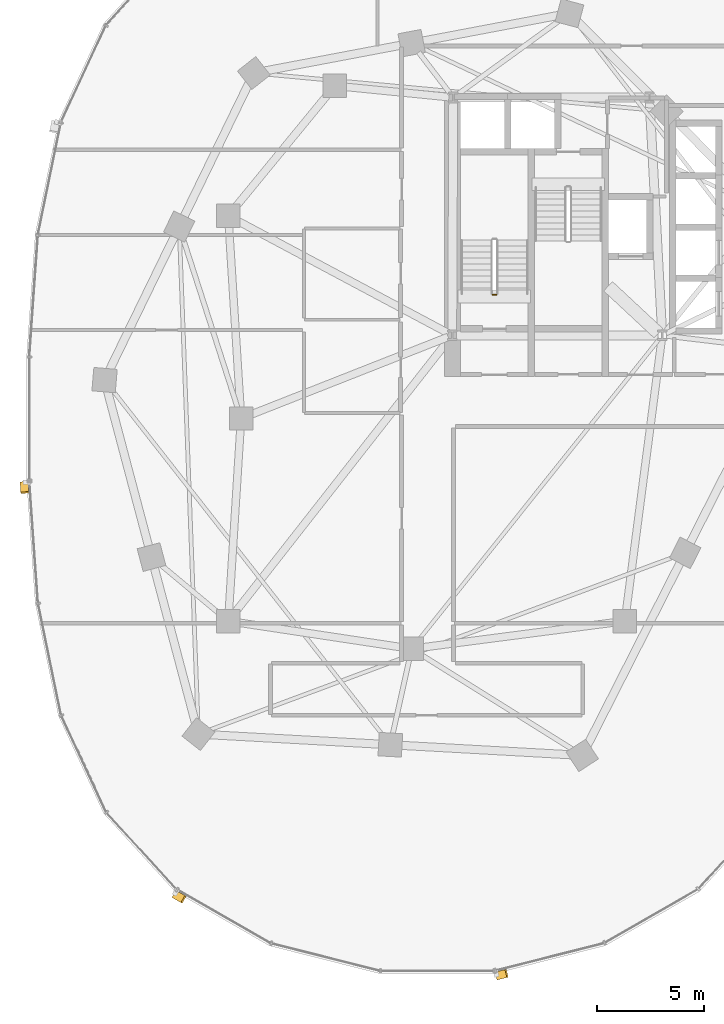
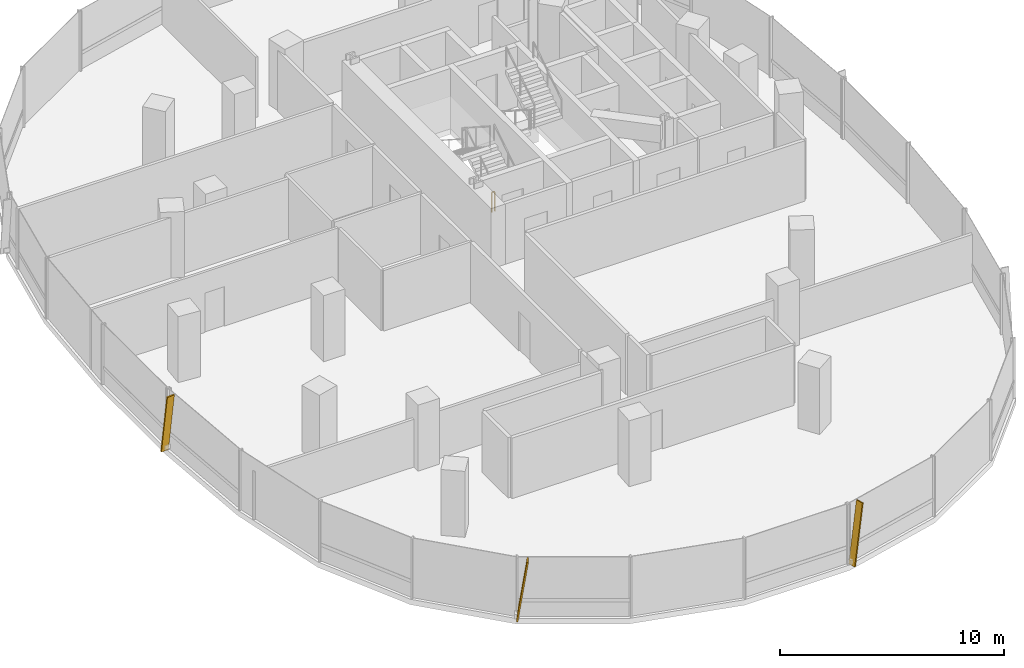
# One storey, part 17 of 21: 3 shading devices, 1 railing.
"""IFC4 building model written with IfcOpenShell, lengths in metres."""

from ifc_helpers import new_model, si_unit, direction, frame, origin, origin_2d, place, context, subcontext, project, spatial, rectangle, extrude, material, material_profile, profile_set, type_object, element, save


model = new_model("IFC4")

# Units and contexts
model_context = context("Model", 3, precision=1e-05, world=origin(), true_north=direction((0.0, 1.0)))
body_context = subcontext(model_context, "Body", "Model", "MODEL_VIEW")
ifc_project = project(units=[si_unit("LENGTHUNIT", "METRE"), si_unit("AREAUNIT", "SQUARE_METRE"), si_unit("VOLUMEUNIT", "CUBIC_METRE"), si_unit("PLANEANGLEUNIT", "RADIAN"), si_unit("MASSUNIT", "GRAM", prefix="KILO"), si_unit("THERMODYNAMICTEMPERATUREUNIT", "KELVIN"), si_unit("POWERUNIT", "WATT")], contexts=[model_context])

# Site, building, storey
site_placement = place(None, origin())
site = spatial("IfcSite", under=ifc_project, at=site_placement, CompositionType="ELEMENT")
building_placement = place(site_placement, origin())
building = spatial("IfcBuilding", under=site, at=building_placement, Name="Cundina Bronze Exchange", CompositionType="ELEMENT")
storey_placement = place(building_placement, frame((0.0, 0.0, 110.60009765625)))
storey = spatial("IfcBuildingStorey", under=building, at=storey_placement, Name="L28", CompositionType="ELEMENT", Elevation=110.60009765625)

# Railing
ifc_material_1 = material(Name="Steel ASTM A36 Painted", Category="steel")
railing_type = type_object("IfcRailingType", Name="RLG-STG-1100", PredefinedType="GUARDRAIL", material=ifc_material_1)
railing_placement = place(storey_placement, frame((-29.239990234375, 5.800048828125, 0.0)))
element("IfcRailing", 1, at=railing_placement, inside=storey, type_object=railing_type, Name="L28 ST-W1 stair guard 4", PredefinedType="GUARDRAIL", context=body_context, shape_type="SweptSolid", body=[
    extrude(rectangle(XDim=0.048095703125, YDim=0.048095703125, at=origin_2d()), frame((0.0, 0.0, 1.076171875), z_axis=(-1.0, 0.0, 0.0), x_axis=(0.0, -1.0, 0.0)), (0.0, 0.0, 1.0), 0.159912109375),
    extrude(rectangle(XDim=0.0419921875, YDim=0.0419921875, at=origin_2d()), origin(), (0.0, 0.0, 1.0), 1.052001953125),
    extrude(rectangle(XDim=0.0419921875, YDim=0.0419921875, at=origin_2d()), frame((-0.159912109375, 0.0, 0.0)), (0.0, 0.0, 1.0), 1.052001953125),
])

# Shading devices
ifc_material_2 = material(Name="Anodised Bronze Aluminium 6063-T6", Category="aluminium")
ifc_material_profile = material_profile(ifc_material_2, rectangle(XDim=0.070068359375, YDim=0.3798828125, at=origin_2d()), Name="FIN70X380", Category="aluminium")
ifc_profile_set = profile_set([ifc_material_profile], Name="Anodised Bronze Aluminium 6063-T6")
shading_device_type = type_object("IfcShadingDeviceType", Name="SHD-FIN-BRZ380", PredefinedType="USERDEFINED", material=ifc_profile_set)
for number, where, z_axis, x_axis, name in (
    (2, (-51.3740234375, -2.993896484375, 0.02001953125), (0.01022529535, -0.145302928853, 0.989334373304), (-0.069449940286, 0.986893716667, 0.145662273078), "L28 Diagonal Bronze Solar Fin 1"),
    (3, (-44.314208984375, -22.314208984375, 0.02001953125), (0.126333952546, -0.072540140494, 0.989331926328), (-0.857956914638, 0.492633325179, 0.145678891912), "L28 Diagonal Bronze Solar Fin 5"),
    (4, (-29.212646484375, -26.138427734375, 0.02001953125), (0.141227399308, 0.035714379048, 0.989332757374), (-0.959138992792, -0.242552463025, 0.145673248011), "L28 Diagonal Bronze Solar Fin 1"),
):
    element("IfcShadingDevice", number, at=place(storey_placement, frame(where, z_axis=z_axis, x_axis=x_axis)), inside=storey, type_object=shading_device_type, Name=name, ObjectType="FIN", PredefinedType="USERDEFINED", context=body_context, shape_type="SweptSolid", body=[
        extrude(rectangle(XDim=0.070068359375, YDim=0.3798828125, at=origin_2d()), origin(), (0.0, 0.0, 1.0), 3.294921875),
    ])

save(model, "model.ifc")
